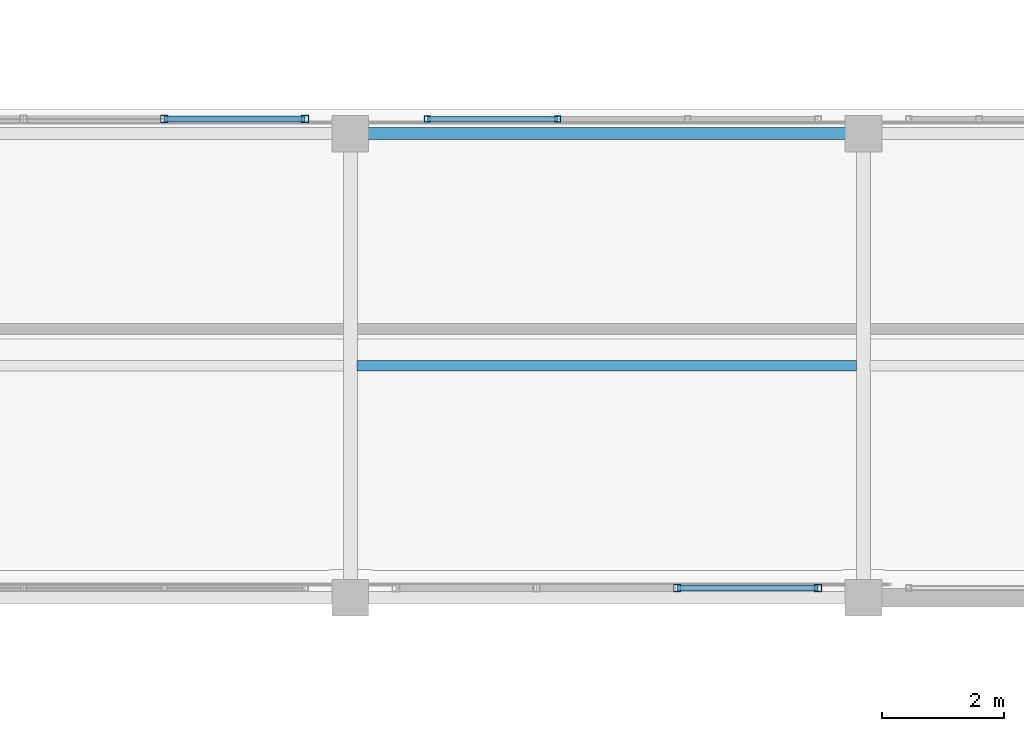
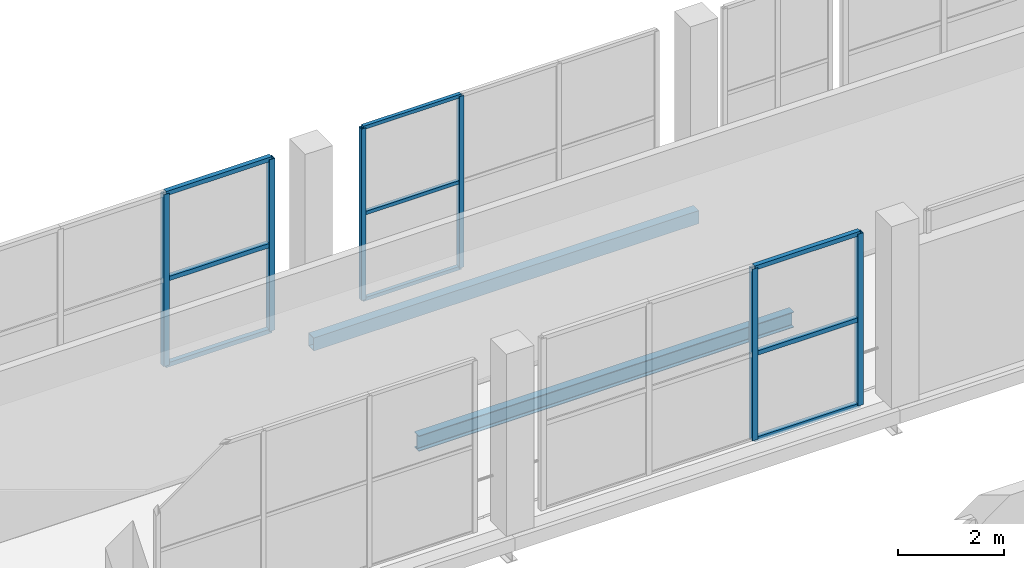
# One storey, part 43 of 151: 15 members, 2 beams, 3 elements without a shape of their own.
"""IFC4 building model written with IfcOpenShell, lengths in metres."""

from ifc_helpers import new_model, si_unit, direction, frame, origin, origin_2d, place, context, subcontext, project, spatial, hollow_rectangle, i_section, extrude, material, material_profile, profile_set, type_object, element, aggregate, save


model = new_model("IFC4")

# Units and contexts
model_context = context("Model", 3, precision=1e-05, world=origin(), true_north=direction((0.0, 1.0)))
body_context = subcontext(model_context, "Body", "Model", "MODEL_VIEW")
ifc_project = project(units=[si_unit("LENGTHUNIT", "METRE"), si_unit("AREAUNIT", "SQUARE_METRE"), si_unit("VOLUMEUNIT", "CUBIC_METRE"), si_unit("PLANEANGLEUNIT", "RADIAN"), si_unit("MASSUNIT", "GRAM", prefix="KILO")], contexts=[model_context])

# Site, building, storey
site_placement = place(None, origin())
site = spatial("IfcSite", under=ifc_project, at=site_placement, CompositionType="ELEMENT")
building_placement = place(site_placement, origin())
building = spatial("IfcBuilding", under=site, at=building_placement, Name="Zuvorla Pavilion Media Centre", CompositionType="ELEMENT")
storey_placement = place(building_placement, frame((0.0, 0.0, 13.800048828125)))
storey = spatial("IfcBuildingStorey", under=building, at=storey_placement, Name="L03", CompositionType="ELEMENT", Elevation=13.800048828125)

# Beams
ifc_material_1 = material(Name="Steel S355", Category="steel")
ifc_material_profile_1 = material_profile(ifc_material_1, hollow_rectangle(XDim=0.199951171875, YDim=0.300048828125, WallThickness=0.012451171875, at=origin_2d()), Name="RHS 300x200x12.5")
ifc_profile_set_1 = profile_set([ifc_material_profile_1], Name="Steel S355")
beam_type_1 = type_object("IfcBeamType", Name="BM-SP-RHS300", PredefinedType="SPANDREL", material=ifc_profile_set_1)
beam_1_placement = place(storey_placement, frame((100.39990234375, 51.60009765625, -0.407958984375), z_axis=(1.0, 0.0, 0.0), x_axis=(0.0, 1.0, 0.0)))
element("IfcBeam", 1, at=beam_1_placement, inside=storey, type_object=beam_type_1, Name="L03 spandrel SP01 1101", PredefinedType="SPANDREL", context=body_context, shape_type="SweptSolid", body=[
    extrude(hollow_rectangle(XDim=0.199951171875, YDim=0.300048828125, WallThickness=0.012451171875, at=origin_2d()), origin(), (0.0, 0.0, 1.0), 8.400146484375),
])
ifc_material_profile_2 = material_profile(ifc_material_1, i_section(OverallWidth=0.172119140625, OverallDepth=0.35791015625, WebThickness=0.008056640625, FlangeThickness=0.012939453125, FilletRadius=0.01025390625, at=origin_2d()), Name="UB 356x171x57")
ifc_profile_set_2 = profile_set([ifc_material_profile_2], Name="Steel S355")
beam_type_2 = type_object("IfcBeamType", Name="BM-UB356", PredefinedType="JOIST", material=ifc_profile_set_2)
beam_2_placement = place(storey_placement, frame((100.509521484375, 47.800048828125, -0.43701171875), z_axis=(1.0, 0.0, 0.0), x_axis=(0.0, 1.0, 0.0)))
element("IfcBeam", 2, at=beam_2_placement, inside=storey, type_object=beam_type_2, Name="L03 joist J03 1275", PredefinedType="JOIST", context=body_context, shape_type="SweptSolid", body=[
    extrude(i_section(OverallWidth=0.172119140625, OverallDepth=0.35791015625, WebThickness=0.008056640625, FlangeThickness=0.012939453125, FilletRadius=0.01025390625, at=origin_2d()), origin(), (0.0, 0.0, 1.0), 8.180908203125),
])

# Curtain wall, members
ifc_material_2 = material(Name="Unitised anodised aluminium and solar glass curtain wall", Category="aluminium")
curtain_wall_type_1 = type_object("IfcCurtainWallType", Name="CW-SYS-77", PredefinedType="USERDEFINED", material=ifc_material_2)
curtain_wall_1_placement = place(storey_placement, origin())
curtain_wall_1 = element("IfcCurtainWall", 3, at=curtain_wall_1_placement, inside=storey, type_object=curtain_wall_type_1, Name="L03 curtain wall CW77 170", ObjectType="CURTAIN WALL", PredefinedType="USERDEFINED")
ifc_material_3 = material(Name="Anodised aluminium 6063-T6", Category="aluminium")
ifc_material_profile_3 = material_profile(ifc_material_3, hollow_rectangle(XDim=0.10009765625, YDim=0.10009765625, WallThickness=0.00439453125, at=origin_2d()), Name="ALU MULL 100x100")
ifc_profile_set_3 = profile_set([ifc_material_profile_3], Name="Anodised aluminium 6063-T6")
member_type_1 = type_object("IfcMemberType", Name="CW-MULL-100", PredefinedType="MULLION", material=ifc_profile_set_3)
member_1_placement = place(storey_placement, frame((101.659912109375, 51.840087890625, 0.0), z_axis=(0.0, 0.0, 1.0), x_axis=(1.0, 0.0, 0.0)))
member_1 = element("IfcMember", 4, at=member_1_placement, type_object=member_type_1, Name="CW77 mullion 1", PredefinedType="MULLION", context=body_context, shape_type="SweptSolid", body=[
    extrude(hollow_rectangle(XDim=0.10009765625, YDim=0.10009765625, WallThickness=0.00439453125, at=origin_2d()), origin(), (0.0, 0.0, 1.0), 3.9599609375),
])
member_2_placement = place(storey_placement, frame((103.7919921875, 51.840087890625, 0.0), z_axis=(0.0, 0.0, 1.0), x_axis=(1.0, 0.0, 0.0)))
member_2 = element("IfcMember", 5, at=member_2_placement, type_object=member_type_1, Name="CW77 mullion 2", PredefinedType="MULLION", context=body_context, shape_type="SweptSolid", body=[
    extrude(hollow_rectangle(XDim=0.10009765625, YDim=0.10009765625, WallThickness=0.00439453125, at=origin_2d()), origin(), (0.0, 0.0, 1.0), 3.9599609375),
])

curtain_wall_type_2 = type_object("IfcCurtainWallType", Name="CW-SYS-70", PredefinedType="USERDEFINED", material=ifc_material_2)
curtain_wall_2_placement = place(storey_placement, origin())
curtain_wall_2 = element("IfcCurtainWall", 6, at=curtain_wall_2_placement, inside=storey, type_object=curtain_wall_type_2, Name="L03 curtain wall CW70 141", ObjectType="CURTAIN WALL", PredefinedType="USERDEFINED")
ifc_material_profile_4 = material_profile(ifc_material_3, hollow_rectangle(XDim=0.1201171875, YDim=0.1201171875, WallThickness=0.0048828125, at=origin_2d()), Name="ALU MULL 120x120")
ifc_profile_set_4 = profile_set([ifc_material_profile_4], Name="Anodised aluminium 6063-T6")
member_type_2 = type_object("IfcMemberType", Name="CW-MULL-120", PredefinedType="MULLION", material=ifc_profile_set_4)
member_3_placement = place(storey_placement, frame((105.751953125, 44.159912109375, 0.0), z_axis=(0.0, 0.0, 1.0), x_axis=(1.0, 0.0, 0.0)))
member_3 = element("IfcMember", 7, at=member_3_placement, type_object=member_type_2, Name="CW70 mullion 3", PredefinedType="MULLION", context=body_context, shape_type="SweptSolid", body=[
    extrude(hollow_rectangle(XDim=0.1201171875, YDim=0.1201171875, WallThickness=0.0048828125, at=origin_2d()), origin(), (0.0, 0.0, 1.0), 3.9599609375),
])
member_4_placement = place(storey_placement, frame((108.0556640625, 44.159912109375, 0.0), z_axis=(0.0, 0.0, 1.0), x_axis=(1.0, 0.0, 0.0)))
member_4 = element("IfcMember", 8, at=member_4_placement, type_object=member_type_2, Name="CW70 mullion 4", PredefinedType="MULLION", context=body_context, shape_type="SweptSolid", body=[
    extrude(hollow_rectangle(XDim=0.1201171875, YDim=0.1201171875, WallThickness=0.0048828125, at=origin_2d()), origin(), (0.0, 0.0, 1.0), 3.9599609375),
])

curtain_wall_type_3 = type_object("IfcCurtainWallType", Name="CW-SYS-22", PredefinedType="USERDEFINED", material=ifc_material_2)
curtain_wall_3_placement = place(storey_placement, origin())
curtain_wall_3 = element("IfcCurtainWall", 9, at=curtain_wall_3_placement, inside=storey, type_object=curtain_wall_type_3, Name="L03 curtain wall CW22 168", ObjectType="CURTAIN WALL", PredefinedType="USERDEFINED")
member_5_placement = place(storey_placement, frame((97.351806640625, 51.840087890625, 0.0), z_axis=(0.0, 0.0, 1.0), x_axis=(1.0, 0.0, 0.0)))
member_5 = element("IfcMember", 10, at=member_5_placement, type_object=member_type_2, Name="CW22 mullion 3", PredefinedType="MULLION", context=body_context, shape_type="SweptSolid", body=[
    extrude(hollow_rectangle(XDim=0.1201171875, YDim=0.1201171875, WallThickness=0.0048828125, at=origin_2d()), origin(), (0.0, 0.0, 1.0), 3.9599609375),
])
member_6_placement = place(storey_placement, frame((99.65576171875, 51.840087890625, 0.0), z_axis=(0.0, 0.0, 1.0), x_axis=(1.0, 0.0, 0.0)))
member_6 = element("IfcMember", 11, at=member_6_placement, type_object=member_type_2, Name="CW22 mullion 4", PredefinedType="MULLION", context=body_context, shape_type="SweptSolid", body=[
    extrude(hollow_rectangle(XDim=0.1201171875, YDim=0.1201171875, WallThickness=0.0048828125, at=origin_2d()), origin(), (0.0, 0.0, 1.0), 3.9599609375),
])

# Member
ifc_material_profile_5 = material_profile(ifc_material_3, hollow_rectangle(XDim=0.10009765625, YDim=0.10009765625, WallThickness=0.00439453125, at=origin_2d()), Name="ALU TRAN 100x100")
ifc_profile_set_5 = profile_set([ifc_material_profile_5], Name="Anodised aluminium 6063-T6")
member_type_3 = type_object("IfcMemberType", Name="CW-TRAN-100", PredefinedType="USERDEFINED", material=ifc_profile_set_5)
member_7_placement = place(storey_placement, frame((105.751953125, 44.159912109375, 0.0), z_axis=(1.0, 0.0, 0.0), x_axis=(0.0, 1.0, 0.0)))
member_7 = element("IfcMember", 12, at=member_7_placement, type_object=member_type_3, Name="CW70 transom 3.1", ObjectType="TRANSOM", PredefinedType="USERDEFINED", context=body_context, shape_type="SweptSolid", body=[
    extrude(hollow_rectangle(XDim=0.10009765625, YDim=0.10009765625, WallThickness=0.00439453125, at=origin_2d()), origin(), (0.0, 0.0, 1.0), 2.3037109375),
])

member_8_placement = place(storey_placement, frame((105.751953125, 44.159912109375, 1.97998046875), z_axis=(1.0, 0.0, 0.0), x_axis=(0.0, 1.0, 0.0)))
member_8 = element("IfcMember", 13, at=member_8_placement, type_object=member_type_3, Name="CW70 transom 3.2", ObjectType="TRANSOM", PredefinedType="USERDEFINED", context=body_context, shape_type="SweptSolid", body=[
    extrude(hollow_rectangle(XDim=0.10009765625, YDim=0.10009765625, WallThickness=0.00439453125, at=origin_2d()), origin(), (0.0, 0.0, 1.0), 2.3037109375),
])

member_9_placement = place(storey_placement, frame((105.751953125, 44.159912109375, 3.9599609375), z_axis=(1.0, 0.0, 0.0), x_axis=(0.0, 1.0, 0.0)))
member_9 = element("IfcMember", 14, at=member_9_placement, type_object=member_type_3, Name="CW70 transom 3.3", ObjectType="TRANSOM", PredefinedType="USERDEFINED", context=body_context, shape_type="SweptSolid", body=[
    extrude(hollow_rectangle(XDim=0.10009765625, YDim=0.10009765625, WallThickness=0.00439453125, at=origin_2d()), origin(), (0.0, 0.0, 1.0), 2.3037109375),
])

aggregate(curtain_wall_2, [member_3, member_4, member_7, member_8, member_9])

member_10_placement = place(storey_placement, frame((97.351806640625, 51.840087890625, 0.0), z_axis=(1.0, 0.0, 0.0), x_axis=(0.0, 1.0, 0.0)))
member_10 = element("IfcMember", 15, at=member_10_placement, type_object=member_type_3, Name="CW22 transom 3.1", ObjectType="TRANSOM", PredefinedType="USERDEFINED", context=body_context, shape_type="SweptSolid", body=[
    extrude(hollow_rectangle(XDim=0.10009765625, YDim=0.10009765625, WallThickness=0.00439453125, at=origin_2d()), origin(), (0.0, 0.0, 1.0), 2.303955078125),
])

member_11_placement = place(storey_placement, frame((97.351806640625, 51.840087890625, 1.97998046875), z_axis=(1.0, 0.0, 0.0), x_axis=(0.0, 1.0, 0.0)))
member_11 = element("IfcMember", 16, at=member_11_placement, type_object=member_type_3, Name="CW22 transom 3.2", ObjectType="TRANSOM", PredefinedType="USERDEFINED", context=body_context, shape_type="SweptSolid", body=[
    extrude(hollow_rectangle(XDim=0.10009765625, YDim=0.10009765625, WallThickness=0.00439453125, at=origin_2d()), origin(), (0.0, 0.0, 1.0), 2.303955078125),
])

member_12_placement = place(storey_placement, frame((97.351806640625, 51.840087890625, 3.9599609375), z_axis=(1.0, 0.0, 0.0), x_axis=(0.0, 1.0, 0.0)))
member_12 = element("IfcMember", 17, at=member_12_placement, type_object=member_type_3, Name="CW22 transom 3.3", ObjectType="TRANSOM", PredefinedType="USERDEFINED", context=body_context, shape_type="SweptSolid", body=[
    extrude(hollow_rectangle(XDim=0.10009765625, YDim=0.10009765625, WallThickness=0.00439453125, at=origin_2d()), origin(), (0.0, 0.0, 1.0), 2.303955078125),
])

aggregate(curtain_wall_3, [member_5, member_6, member_10, member_11, member_12])

ifc_material_profile_6 = material_profile(ifc_material_3, hollow_rectangle(XDim=0.080078125, YDim=0.080078125, WallThickness=0.00390625, at=origin_2d()), Name="ALU TRAN 80x80")
ifc_profile_set_6 = profile_set([ifc_material_profile_6], Name="Anodised aluminium 6063-T6")
member_type_4 = type_object("IfcMemberType", Name="CW-TRAN-80", PredefinedType="USERDEFINED", material=ifc_profile_set_6)
member_13_placement = place(storey_placement, frame((101.659912109375, 51.840087890625, 0.0), z_axis=(1.0, 0.0, 0.0), x_axis=(0.0, 1.0, 0.0)))
member_13 = element("IfcMember", 18, at=member_13_placement, type_object=member_type_4, Name="CW77 transom 1.1", ObjectType="TRANSOM", PredefinedType="USERDEFINED", context=body_context, shape_type="SweptSolid", body=[
    extrude(hollow_rectangle(XDim=0.080078125, YDim=0.080078125, WallThickness=0.00390625, at=origin_2d()), origin(), (0.0, 0.0, 1.0), 2.132080078125),
])

member_14_placement = place(storey_placement, frame((101.659912109375, 51.840087890625, 1.97998046875), z_axis=(1.0, 0.0, 0.0), x_axis=(0.0, 1.0, 0.0)))
member_14 = element("IfcMember", 19, at=member_14_placement, type_object=member_type_4, Name="CW77 transom 1.2", ObjectType="TRANSOM", PredefinedType="USERDEFINED", context=body_context, shape_type="SweptSolid", body=[
    extrude(hollow_rectangle(XDim=0.080078125, YDim=0.080078125, WallThickness=0.00390625, at=origin_2d()), origin(), (0.0, 0.0, 1.0), 2.132080078125),
])

member_15_placement = place(storey_placement, frame((101.659912109375, 51.840087890625, 3.9599609375), z_axis=(1.0, 0.0, 0.0), x_axis=(0.0, 1.0, 0.0)))
member_15 = element("IfcMember", 20, at=member_15_placement, type_object=member_type_4, Name="CW77 transom 1.3", ObjectType="TRANSOM", PredefinedType="USERDEFINED", context=body_context, shape_type="SweptSolid", body=[
    extrude(hollow_rectangle(XDim=0.080078125, YDim=0.080078125, WallThickness=0.00390625, at=origin_2d()), origin(), (0.0, 0.0, 1.0), 2.132080078125),
])

aggregate(curtain_wall_1, [member_1, member_2, member_13, member_14, member_15])

save(model, "model.ifc")
